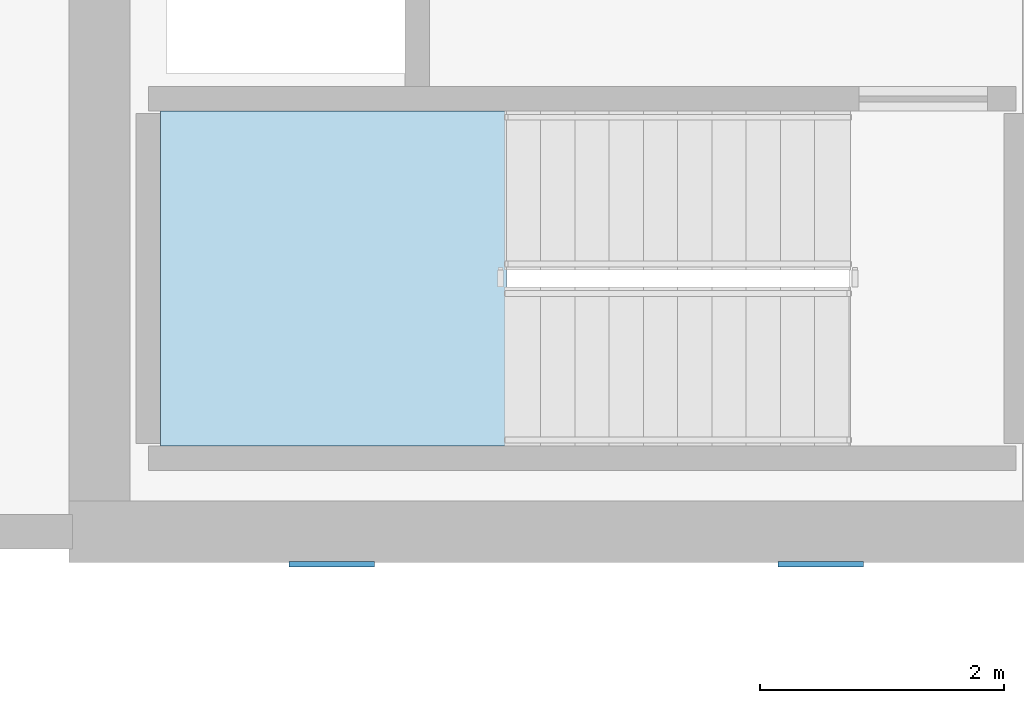
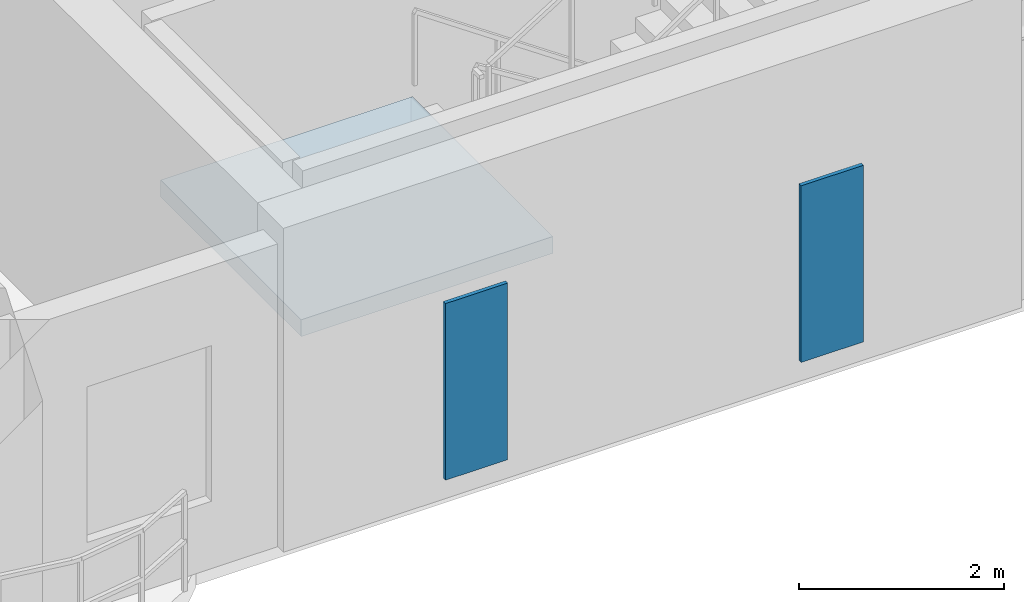
# One storey, part 2 of 13: 2 plates, 1 slab, 1 element without a shape of its own.
"""IFC4 building model written with IfcOpenShell, lengths in metres."""

from ifc_helpers import new_model, si_unit, derived_unit, direction, frame, origin, origin_2d, place, context, subcontext, project, spatial, polyline, rectangle, outline, extrude, source, transform, mapped, material, layer, layer_set, type_object, type_shapes, element, aggregate, save


model = new_model("IFC4")

# Units and contexts
model_context = context("Model", 3, precision=1e-05, world=origin(), true_north=direction((0.0, 1.0)))
body_context = subcontext(model_context, "Body", "Model", "MODEL_VIEW")
ifc_project = project(units=[si_unit("LENGTHUNIT", "METRE"), si_unit("AREAUNIT", "SQUARE_METRE"), si_unit("VOLUMEUNIT", "CUBIC_METRE"), si_unit("PLANEANGLEUNIT", "RADIAN"), si_unit("MASSUNIT", "GRAM", prefix="KILO"), si_unit("THERMODYNAMICTEMPERATUREUNIT", "KELVIN"), si_unit("POWERUNIT", "WATT"), derived_unit("THERMALTRANSMITTANCEUNIT", [(si_unit("POWERUNIT", "WATT"), 1), (si_unit("AREAUNIT", "SQUARE_METRE"), -1), (si_unit("THERMODYNAMICTEMPERATUREUNIT", "KELVIN"), -1)])], contexts=[model_context])

# Site, building, storey
site_placement = place(None, origin())
site = spatial("IfcSite", under=ifc_project, at=site_placement, CompositionType="ELEMENT")
building_placement = place(site_placement, origin())
building = spatial("IfcBuilding", under=site, at=building_placement, Name="Zahravan Archway Hotel and Residences", CompositionType="ELEMENT")
storey_placement = place(building_placement, frame((0.0, 0.0, 181.10009765625)))
storey = spatial("IfcBuildingStorey", under=building, at=storey_placement, Name="L45", CompositionType="ELEMENT", Elevation=181.10009765625)

# Stair, slab
ifc_material_1 = material(Name="Concrete C50/60", Category="concrete")
stair_type = type_object("IfcStairType", Name="STR-CORE-1300", PredefinedType="HALF_TURN_STAIR", material=ifc_material_1)
stair_placement = place(storey_placement, origin())
stair = element("IfcStair", 1, at=stair_placement, inside=storey, type_object=stair_type, Name="L45 Core B Exit Stair 1", PredefinedType="HALF_TURN_STAIR")
ifc_layer_1 = layer(ifc_material_1, 0.199951171875, Name="Concrete C50/60", Category="concrete")
ifc_layer_set_1 = layer_set([ifc_layer_1], Name="Concrete C50/60")
slab_type = type_object("IfcSlabType", Name="SLB-LND-200", PredefinedType="LANDING", material=ifc_layer_set_1)
slab_placement = place(storey_placement, frame((0.0, 0.0, 1.724853515625)))
slab = element("IfcSlab", 2, at=slab_placement, type_object=slab_type, Name="ST-B1 landing 1", PredefinedType="LANDING", context=body_context, shape_type="SweptSolid", body=[
    extrude(outline(polyline([(6.929931640625, 28.639892578125), (4.10009765625, 28.639892578125), (4.10009765625, 25.89990234375), (6.929931640625, 25.89990234375), (6.929931640625, 28.639892578125)])), origin(), (0.0, 0.0, 1.0), 0.199951171875),
])
aggregate(stair, [slab])

# Plates
ifc_material_2 = material(Name="Perforated Cast Bronze Jali Lattice")
ifc_layer_2 = layer(ifc_material_2, 0.044921875, Name="Perforated Cast Bronze Jali Lattice")
ifc_layer_set_2 = layer_set([ifc_layer_2], Name="Perforated Cast Bronze Jali Lattice")
plate_type = type_object("IfcPlateType", Name="PLT-JALI-BAY", PredefinedType="USERDEFINED", material=ifc_layer_set_2)
shared_shape = source(origin(), body_context, "Body", "SweptSolid", [
    extrude(rectangle(XDim=0.699951171875, YDim=0.044921875, at=origin_2d()), origin(), (0.0, 0.0, 1.0), 2.10009765625),
])
type_shapes(plate_type, [shared_shape])
for number, where, z_axis, x_axis, name in (
    (3, (5.5, 24.931884765625, 0.249755859375), (0.0, 0.0, 1.0), (1.0, 0.0, 0.0), "L45 Core B South Mughal Jali Screen 1"),
    (4, (9.5, 24.931884765625, 0.249755859375), (0.0, 0.0, 1.0), (1.0, 0.0, 0.0), "L45 Core B South Mughal Jali Screen 2"),
):
    element("IfcPlate", number, at=place(storey_placement, frame(where, z_axis=z_axis, x_axis=x_axis)), inside=storey, type_object=plate_type, Name=name, ObjectType="SCREEN", PredefinedType="USERDEFINED", context=body_context, shape_type="MappedRepresentation", body=[
        mapped(shared_shape, transform((0.0, 0.0, 0.0), scale=1.0)),
    ])

save(model, "model.ifc")
